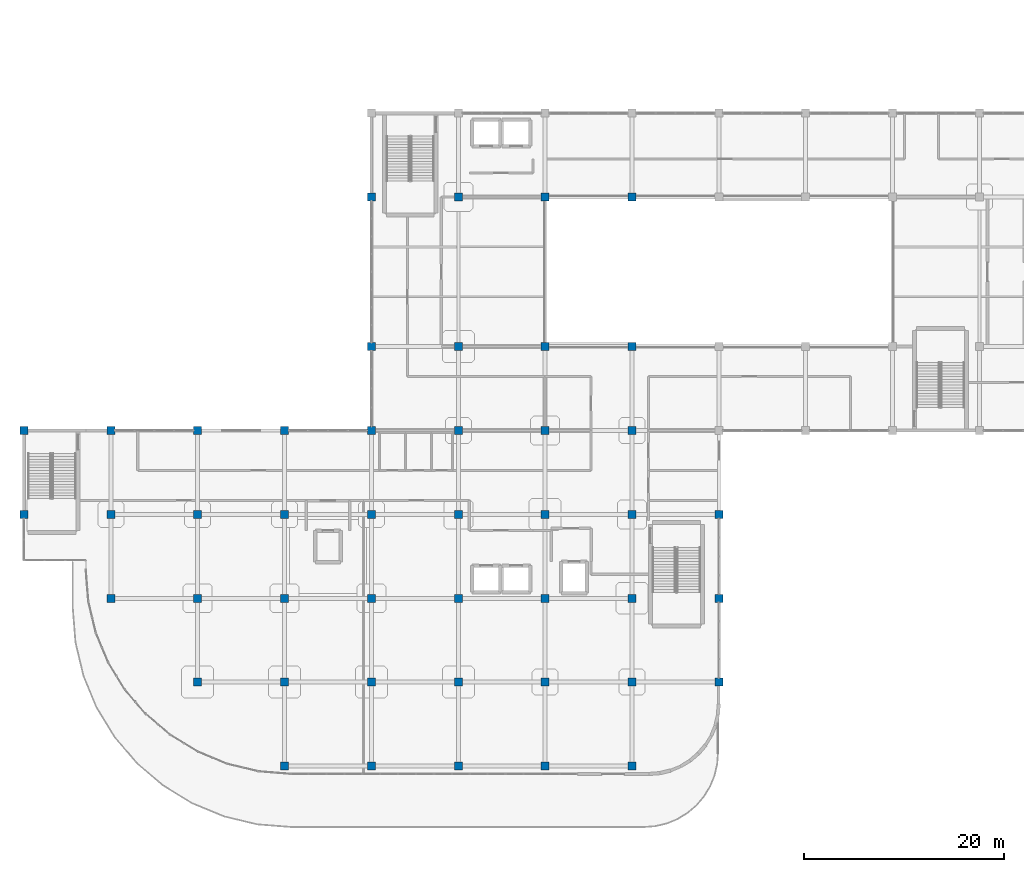
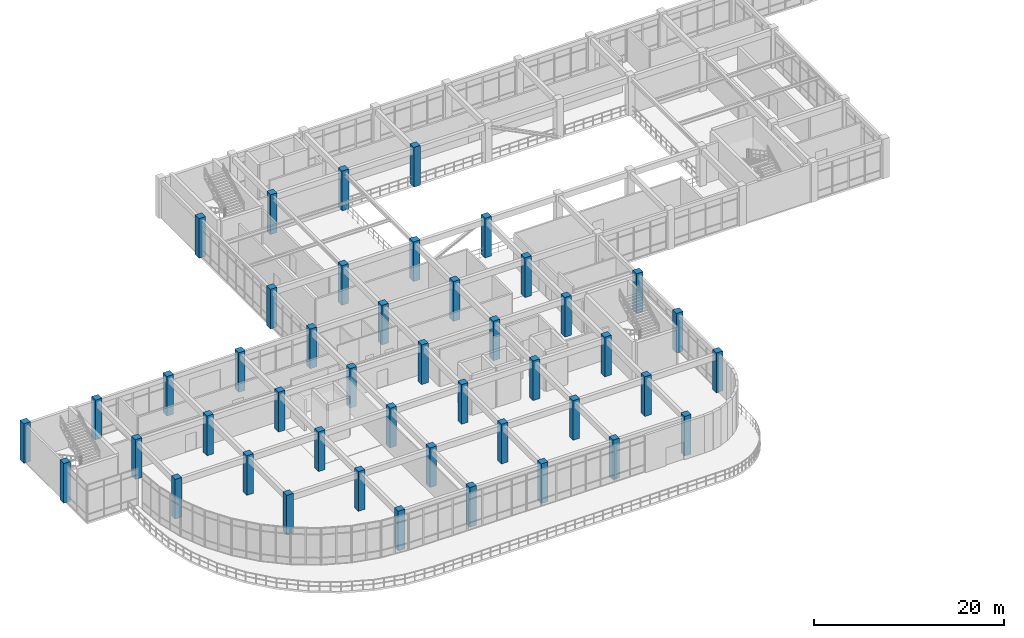
# One storey, part 1 of 96: 45 columns.
"""IFC4 building model written with IfcOpenShell, lengths in metres."""

from ifc_helpers import new_model, si_unit, derived_unit, direction, frame, origin, origin_2d, place, context, subcontext, project, spatial, rectangle, extrude, material, material_profile, profile_set, type_object, element, save


model = new_model("IFC4")

# Units and contexts
model_context = context("Model", 3, precision=1e-05, world=origin(), true_north=direction((0.0, 1.0)))
body_context = subcontext(model_context, "Body", "Model", "MODEL_VIEW")
ifc_project = project(units=[si_unit("LENGTHUNIT", "METRE"), si_unit("AREAUNIT", "SQUARE_METRE"), si_unit("VOLUMEUNIT", "CUBIC_METRE"), si_unit("PLANEANGLEUNIT", "RADIAN"), si_unit("MASSUNIT", "GRAM", prefix="KILO"), derived_unit("THERMALTRANSMITTANCEUNIT", [(si_unit("MASSUNIT", "GRAM", prefix="KILO"), 1), (si_unit("TIMEUNIT", "SECOND"), -3), (si_unit("THERMODYNAMICTEMPERATUREUNIT", "KELVIN"), -1)])], contexts=[model_context])

# Site, building, storey
site_placement = place(None, origin())
site = spatial("IfcSite", under=ifc_project, at=site_placement, CompositionType="ELEMENT")
building_placement = place(site_placement, origin())
building = spatial("IfcBuilding", under=site, at=building_placement, Name="Qinzheling Arcade Emporium", CompositionType="ELEMENT")
storey_placement = place(building_placement, frame((0.0, 0.0, 21.60009765625)))
storey = spatial("IfcBuildingStorey", under=building, at=storey_placement, Name="L05", CompositionType="ELEMENT", Elevation=21.60009765625)

# Columns
ifc_material = material(Name="Concrete C40", Category="concrete")
ifc_material_profile = material_profile(ifc_material, rectangle(XDim=0.800048828125, YDim=0.800048828125, at=origin_2d()), Name="RC 800x800", Category="concrete")
ifc_profile_set = profile_set([ifc_material_profile], Name="Concrete C40")
column_type = type_object("IfcColumnType", Name="RC Column 800x800 C40", PredefinedType="COLUMN", material=ifc_profile_set)
for number, where, z_axis, x_axis, name in (
    (1, (0.0, 33.60009765625, 0.0), (0.0, 0.0, 1.0), (1.0, 0.0, 0.0), "Column COL-L05-1-E"),
    (2, (0.0, 42.0, 0.0), (0.0, 0.0, 1.0), (1.0, 0.0, 0.0), "Column COL-L05-1-F"),
    (3, (8.699951171875, 25.199951171875, 0.0), (0.0, 0.0, 1.0), (1.0, 0.0, 0.0), "Column COL-L05-2-D"),
    (4, (8.699951171875, 33.60009765625, 0.0), (0.0, 0.0, 1.0), (1.0, 0.0, 0.0), "Column COL-L05-2-E"),
    (5, (8.699951171875, 42.0, 0.0), (0.0, 0.0, 1.0), (1.0, 0.0, 0.0), "Column COL-L05-2-F"),
    (6, (17.39990234375, 16.800048828125, 0.0), (0.0, 0.0, 1.0), (1.0, 0.0, 0.0), "Column COL-L05-3-C"),
    (7, (17.39990234375, 25.199951171875, 0.0), (0.0, 0.0, 1.0), (1.0, 0.0, 0.0), "Column COL-L05-3-D"),
    (8, (17.39990234375, 33.60009765625, 0.0), (0.0, 0.0, 1.0), (1.0, 0.0, 0.0), "Column COL-L05-3-E"),
    (9, (17.39990234375, 42.0, 0.0), (0.0, 0.0, 1.0), (1.0, 0.0, 0.0), "Column COL-L05-3-F"),
    (10, (26.10009765625, 8.39990234375, 0.0), (0.0, 0.0, 1.0), (1.0, 0.0, 0.0), "Column COL-L05-4-B"),
    (11, (26.10009765625, 16.800048828125, 0.0), (0.0, 0.0, 1.0), (1.0, 0.0, 0.0), "Column COL-L05-4-C"),
    (12, (26.10009765625, 25.199951171875, 0.0), (0.0, 0.0, 1.0), (1.0, 0.0, 0.0), "Column COL-L05-4-D"),
    (13, (26.10009765625, 33.60009765625, 0.0), (0.0, 0.0, 1.0), (1.0, 0.0, 0.0), "Column COL-L05-4-E"),
    (14, (26.10009765625, 42.0, 0.0), (0.0, 0.0, 1.0), (1.0, 0.0, 0.0), "Column COL-L05-4-F"),
    (15, (34.800048828125, 8.39990234375, 0.0), (0.0, 0.0, 1.0), (1.0, 0.0, 0.0), "Column COL-L05-5-B"),
    (16, (34.800048828125, 16.800048828125, 0.0), (0.0, 0.0, 1.0), (1.0, 0.0, 0.0), "Column COL-L05-5-C"),
    (17, (34.800048828125, 25.199951171875, 0.0), (0.0, 0.0, 1.0), (1.0, 0.0, 0.0), "Column COL-L05-5-D"),
    (18, (34.800048828125, 33.60009765625, 0.0), (0.0, 0.0, 1.0), (1.0, 0.0, 0.0), "Column COL-L05-5-E"),
    (19, (34.800048828125, 42.0, 0.0), (0.0, 0.0, 1.0), (1.0, 0.0, 0.0), "Column COL-L05-5-F"),
    (20, (34.800048828125, 50.39990234375, 0.0), (0.0, 0.0, 1.0), (1.0, 0.0, 0.0), "Column COL-L05-5-G"),
    (21, (34.800048828125, 65.39990234375, 0.0), (0.0, 0.0, 1.0), (1.0, 0.0, 0.0), "Column COL-L05-5-H"),
    (22, (43.5, 8.39990234375, 0.0), (0.0, 0.0, 1.0), (1.0, 0.0, 0.0), "Column COL-L05-6-B"),
    (23, (43.5, 16.800048828125, 0.0), (0.0, 0.0, 1.0), (1.0, 0.0, 0.0), "Column COL-L05-6-C"),
    (24, (43.5, 25.199951171875, 0.0), (0.0, 0.0, 1.0), (1.0, 0.0, 0.0), "Column COL-L05-6-D"),
    (25, (43.5, 33.60009765625, 0.0), (0.0, 0.0, 1.0), (1.0, 0.0, 0.0), "Column COL-L05-6-E"),
    (26, (43.5, 42.0, 0.0), (0.0, 0.0, 1.0), (1.0, 0.0, 0.0), "Column COL-L05-6-F"),
    (27, (43.5, 50.39990234375, 0.0), (0.0, 0.0, 1.0), (1.0, 0.0, 0.0), "Column COL-L05-6-G"),
    (28, (43.5, 65.39990234375, 0.0), (0.0, 0.0, 1.0), (1.0, 0.0, 0.0), "Column COL-L05-6-H"),
    (29, (52.199951171875, 8.39990234375, 0.0), (0.0, 0.0, 1.0), (1.0, 0.0, 0.0), "Column COL-L05-7-B"),
    (30, (52.199951171875, 16.800048828125, 0.0), (0.0, 0.0, 1.0), (1.0, 0.0, 0.0), "Column COL-L05-7-C"),
    (31, (52.199951171875, 25.199951171875, 0.0), (0.0, 0.0, 1.0), (1.0, 0.0, 0.0), "Column COL-L05-7-D"),
    (32, (52.199951171875, 33.60009765625, 0.0), (0.0, 0.0, 1.0), (1.0, 0.0, 0.0), "Column COL-L05-7-E"),
    (33, (52.199951171875, 42.0, 0.0), (0.0, 0.0, 1.0), (1.0, 0.0, 0.0), "Column COL-L05-7-F"),
    (34, (52.199951171875, 50.39990234375, 0.0), (0.0, 0.0, 1.0), (1.0, 0.0, 0.0), "Column COL-L05-7-G"),
    (35, (52.199951171875, 65.39990234375, 0.0), (0.0, 0.0, 1.0), (1.0, 0.0, 0.0), "Column COL-L05-7-H"),
    (36, (60.89990234375, 8.39990234375, 0.0), (0.0, 0.0, 1.0), (1.0, 0.0, 0.0), "Column COL-L05-8-B"),
    (37, (60.89990234375, 16.800048828125, 0.0), (0.0, 0.0, 1.0), (1.0, 0.0, 0.0), "Column COL-L05-8-C"),
    (38, (60.89990234375, 25.199951171875, 0.0), (0.0, 0.0, 1.0), (1.0, 0.0, 0.0), "Column COL-L05-8-D"),
    (39, (60.89990234375, 33.60009765625, 0.0), (0.0, 0.0, 1.0), (1.0, 0.0, 0.0), "Column COL-L05-8-E"),
    (40, (60.89990234375, 42.0, 0.0), (0.0, 0.0, 1.0), (1.0, 0.0, 0.0), "Column COL-L05-8-F"),
    (41, (60.89990234375, 50.39990234375, 0.0), (0.0, 0.0, 1.0), (1.0, 0.0, 0.0), "Column COL-L05-8-G"),
    (42, (60.89990234375, 65.39990234375, 0.0), (0.0, 0.0, 1.0), (1.0, 0.0, 0.0), "Column COL-L05-8-H"),
    (43, (69.60009765625, 16.800048828125, 0.0), (0.0, 0.0, 1.0), (1.0, 0.0, 0.0), "Column COL-L05-9-C"),
    (44, (69.60009765625, 25.199951171875, 0.0), (0.0, 0.0, 1.0), (1.0, 0.0, 0.0), "Column COL-L05-9-D"),
    (45, (69.60009765625, 33.60009765625, 0.0), (0.0, 0.0, 1.0), (1.0, 0.0, 0.0), "Column COL-L05-9-E"),
):
    element("IfcColumn", number, at=place(storey_placement, frame(where, z_axis=z_axis, x_axis=x_axis)), inside=storey, type_object=column_type, Name=name, PredefinedType="COLUMN", context=body_context, shape_type="SweptSolid", body=[
        extrude(rectangle(XDim=0.800048828125, YDim=0.800048828125, at=origin_2d()), origin(), (0.0, 0.0, 1.0), 5.099853515625),
    ])

save(model, "model.ifc")
